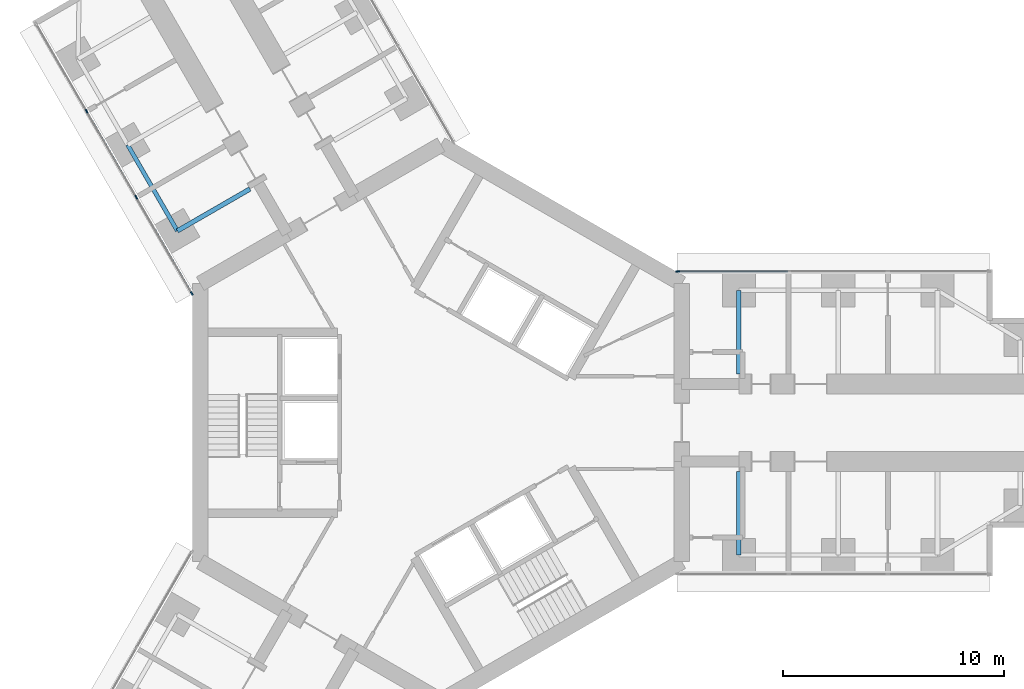
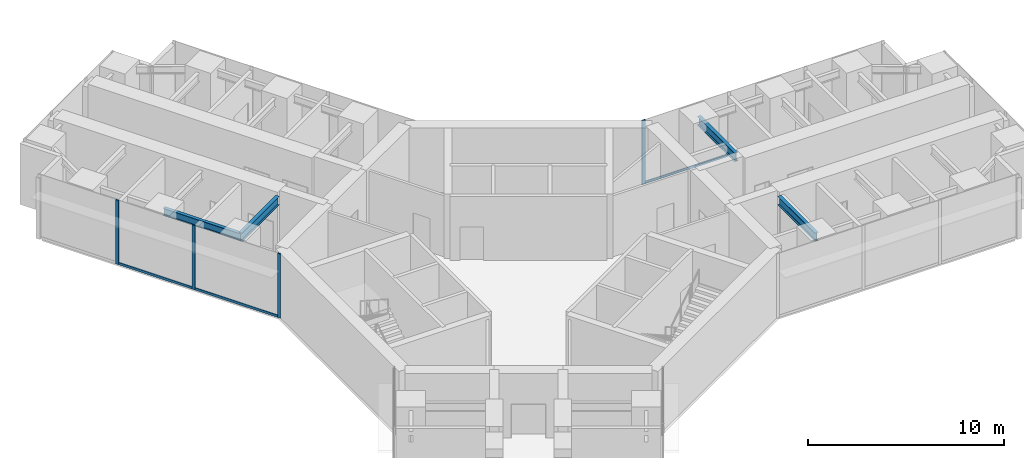
# One storey, part 6 of 22: 7 members, 4 beams, 2 elements without a shape of their own.
"""IFC4 building model written with IfcOpenShell, lengths in metres."""

from ifc_helpers import new_model, si_unit, direction, frame, origin, origin_2d, place, context, subcontext, project, spatial, rectangle, i_section, extrude, material, material_profile, profile_set, type_object, element, aggregate, save


model = new_model("IFC4")

# Units and contexts
model_context = context("Model", 3, precision=1e-05, world=origin(), true_north=direction((0.0, 1.0)))
body_context = subcontext(model_context, "Body", "Model", "MODEL_VIEW")
ifc_project = project(units=[si_unit("LENGTHUNIT", "METRE"), si_unit("AREAUNIT", "SQUARE_METRE"), si_unit("VOLUMEUNIT", "CUBIC_METRE"), si_unit("PLANEANGLEUNIT", "RADIAN"), si_unit("MASSUNIT", "GRAM", prefix="KILO")], contexts=[model_context])

# Site, building, storey
site_placement = place(None, origin())
site = spatial("IfcSite", under=ifc_project, at=site_placement, CompositionType="ELEMENT")
building_placement = place(site_placement, origin())
building = spatial("IfcBuilding", under=site, at=building_placement, Name="Upepo Twin Towers", CompositionType="ELEMENT")
storey_placement = place(building_placement, frame((0.0, 0.0, 40.5)))
storey = spatial("IfcBuildingStorey", under=building, at=storey_placement, Name="L09", CompositionType="ELEMENT", Elevation=40.5)

# Beams
ifc_material_1 = material(Name="Steel S355", Category="steel")
ifc_material_profile_1 = material_profile(ifc_material_1, i_section(OverallWidth=0.1904296875, OverallDepth=0.45703125, WebThickness=0.009033203125, FlangeThickness=0.014404296875, FilletRadius=0.01025390625, at=origin_2d()), Name="UB 457x191x74")
ifc_profile_set_1 = profile_set([ifc_material_profile_1], Name="Steel S355")
beam_type_1 = type_object("IfcBeamType", Name="Beam UB 457x191x74", PredefinedType="BEAM", material=ifc_profile_set_1)
beam_1_placement = place(storey_placement, frame((-11.946044921875, 8.69140625, 3.571533203125), z_axis=(-0.500013631625, 0.866017533419, 0.0), x_axis=(-0.866017533419, -0.500013631625, 0.0)))
element("IfcBeam", 1, at=beam_1_placement, inside=storey, type_object=beam_type_1, Name="T1 edge beam BL 13.5-18.0", PredefinedType="BEAM", context=body_context, shape_type="SweptSolid", body=[
    extrude(i_section(OverallWidth=0.1904296875, OverallDepth=0.45703125, WebThickness=0.009033203125, FlangeThickness=0.014404296875, FilletRadius=0.01025390625, at=origin_2d()), origin(), (0.0, 0.0, 1.0), 4.499755859375),
])
ifc_material_2 = material(Name="Steel S355", Category="steel")
ifc_material_profile_2 = material_profile(ifc_material_2, i_section(OverallWidth=0.209228515625, OverallDepth=0.533203125, WebThickness=0.010009765625, FlangeThickness=0.015625, FilletRadius=0.0126953125, at=origin_2d()), Name="UB 533x210x92")
ifc_profile_set_2 = profile_set([ifc_material_profile_2], Name="Steel S355")
beam_type_2 = type_object("IfcBeamType", Name="Beam UB 533x210x92", PredefinedType="BEAM", material=ifc_profile_set_2)
for number, where, z_axis, x_axis, name in (
    (2, (13.5, 6.0, 3.533447265625), (0.0, -1.0, 0.0), (1.0, 0.0, 0.0), "T1 girder AL at 13.5"),
    (3, (13.5, -6.0, 3.533447265625), (0.0, 1.0, 0.0), (-1.0, 0.0, 0.0), "T1 girder AR at 13.5"),
):
    element("IfcBeam", number, at=place(storey_placement, frame(where, z_axis=z_axis, x_axis=x_axis)), inside=storey, type_object=beam_type_2, Name=name, PredefinedType="BEAM", context=body_context, shape_type="SweptSolid", body=[
        extrude(i_section(OverallWidth=0.209228515625, OverallDepth=0.533203125, WebThickness=0.010009765625, FlangeThickness=0.015625, FilletRadius=0.0126953125, at=origin_2d()), origin(), (0.0, 0.0, 1.0), 3.800048828125),
    ])
beam_2_placement = place(storey_placement, frame((-11.946044921875, 8.69140625, 3.533447265625), z_axis=(0.866028304915, 0.499994975061, 0.0), x_axis=(-0.499994975061, 0.866028304915, 0.0)))
element("IfcBeam", 4, at=beam_2_placement, inside=storey, type_object=beam_type_2, Name="T1 girder BL at 13.5", PredefinedType="BEAM", context=body_context, shape_type="SweptSolid", body=[
    extrude(i_section(OverallWidth=0.209228515625, OverallDepth=0.533203125, WebThickness=0.010009765625, FlangeThickness=0.015625, FilletRadius=0.0126953125, at=origin_2d()), origin(), (0.0, 0.0, 1.0), 3.7998046875),
])

# Curtain wall, member
ifc_material_3 = material(Name="Aluminium and fritted glass", Category="aluminium")
curtain_wall_type = type_object("IfcCurtainWallType", Name="Tower curtain wall TW1, fritted glass", PredefinedType="NOTDEFINED", material=ifc_material_3)
curtain_wall_1_placement = place(storey_placement, origin())
curtain_wall_1 = element("IfcCurtainWall", 5, at=curtain_wall_1_placement, inside=storey, type_object=curtain_wall_type, Name="T1 L09 wing A flank L curtain wall", PredefinedType="NOTDEFINED")
ifc_material_4 = material(Name="Aluminium mullion", Category="aluminium")
ifc_material_profile_3 = material_profile(ifc_material_4, rectangle(XDim=0.06494140625, YDim=0.179931640625, at=origin_2d()), Name="MULLION 65x180")
ifc_profile_set_3 = profile_set([ifc_material_profile_3], Name="Aluminium mullion")
member_type_1 = type_object("IfcMemberType", Name="Mullion 65x180 TW1", PredefinedType="MULLION", material=ifc_profile_set_3)
member_1_placement = place(storey_placement, frame((10.7197265625, 6.85009765625, 0.0), z_axis=(0.0, 0.0, 1.0), x_axis=(0.0, 1.0, 0.0)))
member_1 = element("IfcMember", 6, at=member_1_placement, type_object=member_type_1, Name="T1 L09 wing A flank L curtain wall mullion 1", PredefinedType="MULLION", context=body_context, shape_type="SweptSolid", body=[
    extrude(rectangle(XDim=0.06494140625, YDim=0.179931640625, at=origin_2d()), origin(), (0.0, 0.0, 1.0), 4.0),
])

# Curtain wall, members
curtain_wall_2_placement = place(storey_placement, origin())
curtain_wall_2 = element("IfcCurtainWall", 7, at=curtain_wall_2_placement, inside=storey, type_object=curtain_wall_type, Name="T1 L09 wing B flank L curtain wall", PredefinedType="NOTDEFINED")
member_2_placement = place(storey_placement, frame((-11.2919921875, 5.8583984375, 0.0), z_axis=(0.0, 0.0, 1.0), x_axis=(-0.866025389682, -0.500000024426, 0.0)))
member_2 = element("IfcMember", 8, at=member_2_placement, type_object=member_type_1, Name="T1 L09 wing B flank L curtain wall mullion 1", PredefinedType="MULLION", context=body_context, shape_type="SweptSolid", body=[
    extrude(rectangle(XDim=0.06494140625, YDim=0.179931640625, at=origin_2d()), origin(), (0.0, 0.0, 1.0), 4.0),
])
member_3_placement = place(storey_placement, frame((-13.807373046875, 10.21484375, 0.0), z_axis=(0.0, 0.0, 1.0), x_axis=(-0.866025389682, -0.500000024426, 0.0)))
member_3 = element("IfcMember", 9, at=member_3_placement, type_object=member_type_1, Name="T1 L09 wing B flank L curtain wall mullion 2", PredefinedType="MULLION", context=body_context, shape_type="SweptSolid", body=[
    extrude(rectangle(XDim=0.06494140625, YDim=0.179931640625, at=origin_2d()), origin(), (0.0, 0.0, 1.0), 4.0),
])
member_4_placement = place(storey_placement, frame((-16.057373046875, 14.112060546875, 0.0), z_axis=(0.0, 0.0, 1.0), x_axis=(-0.866025389682, -0.500000024426, 0.0)))
member_4 = element("IfcMember", 10, at=member_4_placement, type_object=member_type_1, Name="T1 L09 wing B flank L curtain wall mullion 3", PredefinedType="MULLION", context=body_context, shape_type="SweptSolid", body=[
    extrude(rectangle(XDim=0.06494140625, YDim=0.179931640625, at=origin_2d()), origin(), (0.0, 0.0, 1.0), 4.0),
])

# Member
ifc_material_5 = material(Name="Aluminium transom", Category="aluminium")
ifc_material_profile_4 = material_profile(ifc_material_5, rectangle(XDim=0.06494140625, YDim=0.14990234375, at=origin_2d()), Name="TRANSOM 65x150")
ifc_profile_set_4 = profile_set([ifc_material_profile_4], Name="Aluminium transom")
member_type_2 = type_object("IfcMemberType", Name="Transom 65x150 TW1", PredefinedType="USERDEFINED", material=ifc_profile_set_4)
member_5_placement = place(storey_placement, frame((10.752197265625, 6.85009765625, 0.074951171875), z_axis=(1.0, 0.0, 0.0), x_axis=(0.0, 1.0, 0.0)))
member_5 = element("IfcMember", 11, at=member_5_placement, type_object=member_type_2, Name="T1 L09 wing A flank L curtain wall transom 1", ObjectType="TRANSOM", PredefinedType="USERDEFINED", context=body_context, shape_type="SweptSolid", body=[
    extrude(rectangle(XDim=0.06494140625, YDim=0.14990234375, at=origin_2d()), origin(), (0.0, 0.0, 1.0), 4.96533203125),
])

aggregate(curtain_wall_1, [member_1, member_5])

member_6_placement = place(storey_placement, frame((-11.308349609375, 5.88671875, 0.074951171875), z_axis=(-0.50000478328, 0.866022642139, 0.0), x_axis=(-0.866022642139, -0.50000478328, 0.0)))
member_6 = element("IfcMember", 12, at=member_6_placement, type_object=member_type_2, Name="T1 L09 wing B flank L curtain wall transom 1", ObjectType="TRANSOM", PredefinedType="USERDEFINED", context=body_context, shape_type="SweptSolid", body=[
    extrude(rectangle(XDim=0.06494140625, YDim=0.14990234375, at=origin_2d()), origin(), (0.0, 0.0, 1.0), 4.96533203125),
])

member_7_placement = place(storey_placement, frame((-13.823486328125, 10.2431640625, 0.074951171875), z_axis=(-0.500005184116, 0.866022410713, 0.0), x_axis=(-0.866022410713, -0.500005184116, 0.0)))
member_7 = element("IfcMember", 13, at=member_7_placement, type_object=member_type_2, Name="T1 L09 wing B flank L curtain wall transom 2", ObjectType="TRANSOM", PredefinedType="USERDEFINED", context=body_context, shape_type="SweptSolid", body=[
    extrude(rectangle(XDim=0.06494140625, YDim=0.14990234375, at=origin_2d()), origin(), (0.0, 0.0, 1.0), 4.43505859375),
])

aggregate(curtain_wall_2, [member_2, member_3, member_4, member_6, member_7])

save(model, "model.ifc")
